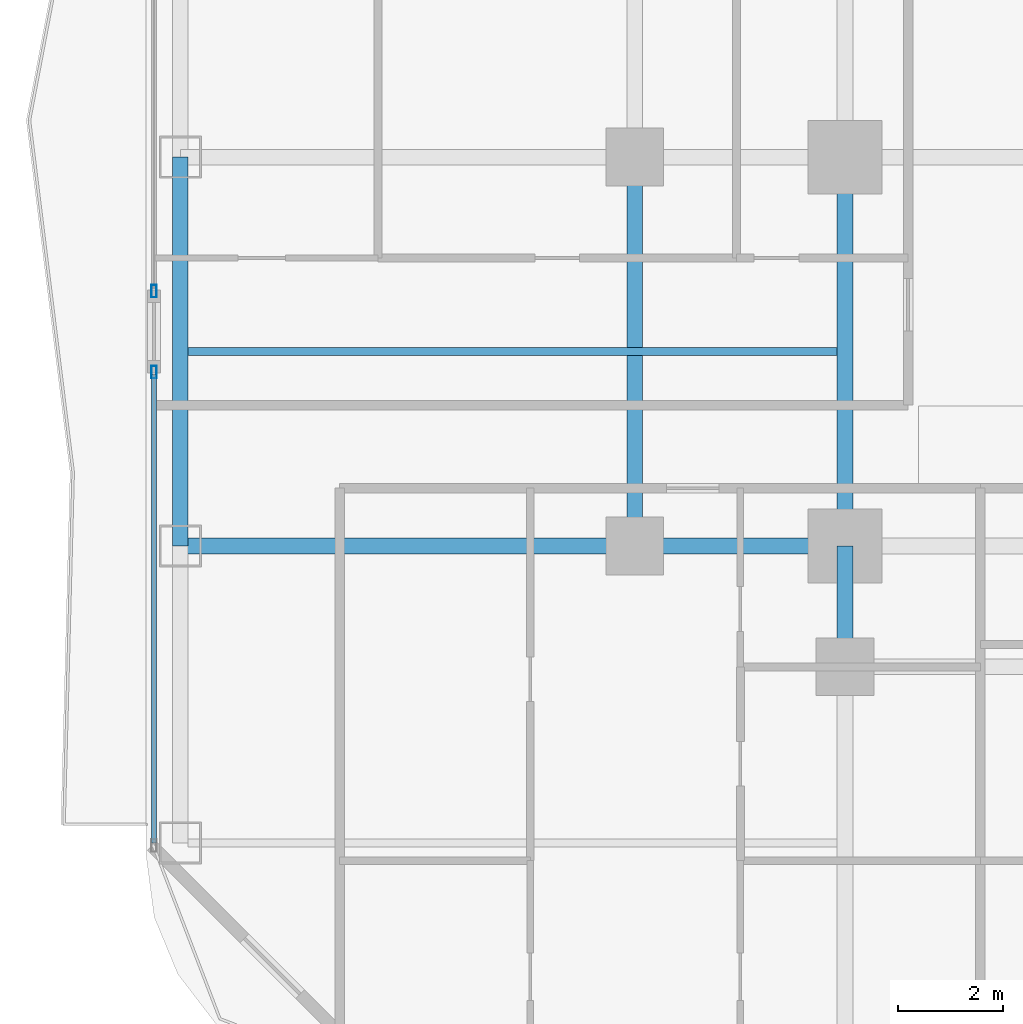
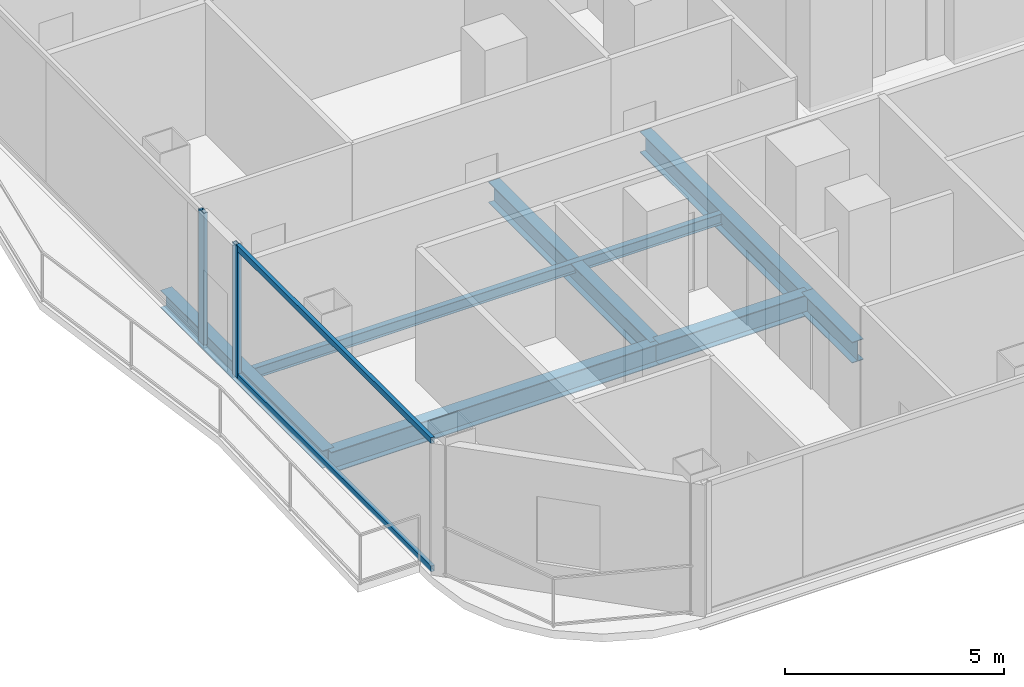
# One storey, part 3 of 29: 7 beams, 4 members, 2 elements without a shape of their own.
"""IFC4 building model written with IfcOpenShell, lengths in metres."""

import ifcopenshell
import ifcopenshell.guid

model = None  # the IFC model being written
_history = None  # IfcOwnerHistory: only IFC2X3 demands one
_inside = {}  # id of a spatial element -> (the spatial element, [elements in it])
_under = {}  # id of a project, library or spatial element -> (it, [spatial elements below it])
_declared = {}  # id of a project -> (the project, [libraries it declares])
_typed = {}  # id of a type object -> (the type object, [elements of that type])
_made_of = {}  # id of a material, layer set ... -> (it, [elements and type objects made of it])


def new_model(schema):
    """Start an empty IFC model of exactly this schema.

    Asked for "IFC4X3", IfcOpenShell would pick the latest addendum, in which some entities
    have other attributes; the version numbers below select the first issue.
    IFC2X3 requires an IfcOwnerHistory on every rooted entity: one is made here for all.
    """
    global model, _history
    if schema == "IFC4X3":
        model = ifcopenshell.file(schema_version=(4, 3, 0, 0))
    else:
        model = ifcopenshell.file(schema=schema)
    _inside.clear()
    _under.clear()
    _declared.clear()
    _typed.clear()
    _made_of.clear()
    _history = None
    if model.schema == "IFC2X3":
        org = make("IfcOrganization", Name="unknown")
        user = make(
            "IfcPersonAndOrganization",
            ThePerson=make("IfcPerson", FamilyName="unknown"),
            TheOrganization=org,
        )
        app = make(
            "IfcApplication",
            ApplicationDeveloper=org,
            Version="unknown",
            ApplicationFullName="unknown",
            ApplicationIdentifier="unknown",
        )
        _history = make(
            "IfcOwnerHistory",
            OwningUser=user,
            OwningApplication=app,
            ChangeAction="ADDED",
            CreationDate=0,
        )
    return model


def make(cls, **values):
    """One entity of the class cls with the attributes given. An attribute that is None is left unset."""
    return model.create_entity(
        cls, **{name: value for name, value in values.items() if value is not None}
    )


def rooted(cls, **values):
    """An entity with a GlobalId (a new one), such as an element, a storey or a relation."""
    return make(cls, GlobalId=ifcopenshell.guid.new(), OwnerHistory=_history, **values)


def si_unit(unit_type, name, prefix=None):
    """IfcSIUnit, for example si_unit("LENGTHUNIT", "METRE", prefix="MILLI")."""
    return make("IfcSIUnit", UnitType=unit_type, Prefix=prefix, Name=name)


def assignment(units):
    """IfcUnitAssignment: the units of a project."""
    return None if units is None else make("IfcUnitAssignment", Units=units)


def point(xyz):
    """IfcCartesianPoint."""
    return None if xyz is None else make("IfcCartesianPoint", Coordinates=xyz)


def direction(xyz):
    """IfcDirection."""
    return None if xyz is None else make("IfcDirection", DirectionRatios=xyz)


def frame(location, z_axis=None, x_axis=None):
    """IfcAxis2Placement3D, a coordinate frame: its origin and axes. An axis left out is left unset."""
    return make(
        "IfcAxis2Placement3D",
        Location=point(location),
        Axis=direction(z_axis),
        RefDirection=direction(x_axis),
    )


def frame_2d(location, x_axis=None):
    """IfcAxis2Placement2D, a coordinate frame in the plane: its origin and x axis."""
    return make(
        "IfcAxis2Placement2D", Location=point(location), RefDirection=direction(x_axis)
    )


def origin():
    """The frame at (0, 0, 0) with its axes left unset."""
    return frame((0.0, 0.0, 0.0))


def origin_2d():
    """The frame at (0, 0) in the plane with its x axis left unset."""
    return frame_2d((0.0, 0.0))


def place(relative_to, where):
    """IfcLocalPlacement: puts the frame where relative to a parent placement (None: the world)."""
    return make(
        "IfcLocalPlacement", PlacementRelTo=relative_to, RelativePlacement=where
    )


def context(
    kind, dimensions, precision=None, world=None, true_north=None, identifier=None
):
    """IfcGeometricRepresentationContext, for example the 3D "Model" context."""
    return make(
        "IfcGeometricRepresentationContext",
        ContextIdentifier=identifier,
        ContextType=kind,
        CoordinateSpaceDimension=dimensions,
        Precision=precision,
        WorldCoordinateSystem=world,
        TrueNorth=true_north,
    )


def subcontext(parent, identifier, kind, view, scale=None):
    """IfcGeometricRepresentationSubContext, for example "Body" below "Model"."""
    return make(
        "IfcGeometricRepresentationSubContext",
        ContextIdentifier=identifier,
        ContextType=kind,
        ParentContext=parent,
        TargetScale=scale,
        TargetView=view,
    )


def project(units=None, contexts=None):
    """IfcProject with its units and contexts."""
    return rooted(
        "IfcProject",
        Name="project",
        RepresentationContexts=contexts,
        UnitsInContext=assignment(units),
    )


def spatial(cls, under=None, at=None, **own):
    """A site, building, storey or space (cls), placed at a placement, below another one or the project."""
    s = rooted(cls, ObjectPlacement=at, **own)
    if under is not None:
        _under.setdefault(under.id(), (under, []))[1].append(s)
    return s


def profile(cls, at=None, kind="AREA", **sizes):
    """A parametric profile (cls). Its sizes go by their IFC names, for example OverallWidth=200.0."""
    return make(cls, ProfileType=kind, Position=at, **sizes)


def hollow_rectangle(**sizes):
    """IfcRectangleHollowProfileDef."""
    return profile("IfcRectangleHollowProfileDef", **sizes)


def i_section(**sizes):
    """IfcIShapeProfileDef."""
    return profile("IfcIShapeProfileDef", **sizes)


def extrude(swept, where, along, depth):
    """IfcExtrudedAreaSolid: the profile swept, set in the frame where, extruded along a direction by depth."""
    return make(
        "IfcExtrudedAreaSolid",
        SweptArea=swept,
        Position=where,
        ExtrudedDirection=direction(along),
        Depth=depth,
    )


def shape(context_of_items, identifier, shape_type, items):
    """IfcShapeRepresentation: the items that make up one representation, for example the "Body"."""
    return make(
        "IfcShapeRepresentation",
        ContextOfItems=context_of_items,
        RepresentationIdentifier=identifier,
        RepresentationType=shape_type,
        Items=items,
    )


def material(Name=None, Category=None):
    """IfcMaterial."""
    return make("IfcMaterial", Name=Name, Category=Category)


def layer(
    of_material, thickness, ventilated=None, Name=None, Category=None, Priority=None
):
    """IfcMaterialLayer: one layer of a wall or slab, of a material (None: an air gap)."""
    return make(
        "IfcMaterialLayer",
        Material=of_material,
        LayerThickness=thickness,
        IsVentilated=ventilated,
        Name=Name,
        Category=Category,
        Priority=Priority,
    )


def layer_set(layers, Name=None):
    """IfcMaterialLayerSet."""
    return make("IfcMaterialLayerSet", MaterialLayers=layers, LayerSetName=Name)


def material_profile(
    of_material, cross_section, Name=None, Category=None, Priority=None
):
    """IfcMaterialProfile: a cross section and its material."""
    return make(
        "IfcMaterialProfile",
        Name=Name,
        Material=of_material,
        Profile=cross_section,
        Priority=Priority,
        Category=Category,
    )


def profile_set(profiles, Name=None, composite=None):
    """IfcMaterialProfileSet."""
    return make(
        "IfcMaterialProfileSet",
        Name=Name,
        MaterialProfiles=profiles,
        CompositeProfile=composite,
    )


def made_of(thing, what):
    """Note that an element or type object is made of a material, layer set ...; save() writes the relation."""
    if what is not None:
        _made_of.setdefault(what.id(), (what, []))[1].append(thing)
    return thing


def type_object(cls, material=None, **own):
    """A type object (cls), such as IfcWallType, which elements share."""
    return made_of(rooted(cls, **own), material)


def element(
    cls,
    number,
    at=None,
    inside=None,
    cuts=None,
    type_object=None,
    material=None,
    context=None,
    identifier="Body",
    shape_type=None,
    held_by="IfcProductDefinitionShape",
    body=None,
    shapes=None,
    **own,
):
    """One element of the class cls, such as IfcWall. Its Tag is "e" and its number.

    at: its placement. inside: the storey or other place that contains it. cuts: it is an
    opening in that element (IfcRelVoidsElement). A single representation is given by context,
    identifier, shape_type and body (its items); several are given by shapes. held_by: the class
    of the entity that holds the representations. save() writes the other relations.
    """
    e = rooted(cls, Tag="e%d" % number, ObjectPlacement=at, **own)
    if body is not None:
        shapes = [shape(context, identifier, shape_type, body)]
    if shapes is not None:
        e.Representation = make(held_by, Representations=shapes)
    if inside is not None:
        _inside.setdefault(inside.id(), (inside, []))[1].append(e)
    if cuts is not None:
        rooted(
            "IfcRelVoidsElement", RelatingBuildingElement=cuts, RelatedOpeningElement=e
        )
    if type_object is not None:
        _typed.setdefault(type_object.id(), (type_object, []))[1].append(e)
    return made_of(e, material)


def aggregate(whole, parts):
    """IfcRelAggregates: a whole, such as a stair, and the parts it consists of."""
    return rooted("IfcRelAggregates", RelatingObject=whole, RelatedObjects=parts)


def save(model, path):
    """Write the relations noted so far, then the file.

    IfcRelAggregates (storeys below a building ...), IfcRelContainedInSpatialStructure (elements
    in a storey), IfcRelDefinesByType, IfcRelAssociatesMaterial and IfcRelDeclares: one each for
    every whole, place, type object, material and project.
    """
    for whole, parts in _under.values():
        aggregate(whole, parts)
    for where, things in _inside.values():
        rooted(
            "IfcRelContainedInSpatialStructure",
            RelatedElements=things,
            RelatingStructure=where,
        )
    for kind, things in _typed.values():
        rooted("IfcRelDefinesByType", RelatedObjects=things, RelatingType=kind)
    for what, things in _made_of.values():
        rooted("IfcRelAssociatesMaterial", RelatedObjects=things, RelatingMaterial=what)
    for by, libraries in _declared.values():
        rooted("IfcRelDeclares", RelatingContext=by, RelatedDefinitions=libraries)
    model.write(path)


model = new_model("IFC4")

# Units and contexts
model_context = context("Model", 3, precision=1e-05, world=origin(), true_north=direction((0.0, 1.0)))
body_context = subcontext(model_context, "Body", "Model", "MODEL_VIEW")
ifc_project = project(units=[si_unit("LENGTHUNIT", "METRE"), si_unit("AREAUNIT", "SQUARE_METRE"), si_unit("VOLUMEUNIT", "CUBIC_METRE"), si_unit("PLANEANGLEUNIT", "RADIAN"), si_unit("MASSUNIT", "GRAM", prefix="KILO")], contexts=[model_context])

# Site, building, storey
site_placement = place(None, origin())
site = spatial("IfcSite", under=ifc_project, at=site_placement, CompositionType="ELEMENT")
building_placement = place(site_placement, origin())
building = spatial("IfcBuilding", under=site, at=building_placement, Name="Khorvyn Point Tower", CompositionType="ELEMENT")
storey_placement = place(building_placement, frame((0.0, 0.0, 61.800048828125)))
storey = spatial("IfcBuildingStorey", under=building, at=storey_placement, Name="L16", CompositionType="ELEMENT", Elevation=61.800048828125)

# Curtain wall, member
ifc_material_1 = material(Name="Anodised aluminium 6063-T6 and laminated Low-E glass", Category="aluminium")
ifc_layer = layer(ifc_material_1, 0.18994140625)
ifc_layer_set = layer_set([ifc_layer], Name="Stick-Built Finned Residential Curtain Wall CW-SYS-02")
curtain_wall_type = type_object("IfcCurtainWallType", Name="Stick-Built Finned Residential Curtain Wall CW-SYS-02", PredefinedType="NOTDEFINED", material=ifc_layer_set)
curtain_wall_1_placement = place(storey_placement, origin())
curtain_wall_1 = element("IfcCurtainWall", 1, at=curtain_wall_1_placement, inside=storey, type_object=curtain_wall_type, Name="Curtain Wall", PredefinedType="NOTDEFINED")
ifc_material_2 = material(Name="Anodised aluminium 6063-T6", Category="aluminium")
ifc_material_profile_1 = material_profile(ifc_material_2, hollow_rectangle(XDim=0.10009765625, YDim=0.239990234375, WallThickness=0.0048828125, at=origin_2d()))
ifc_profile_set_1 = profile_set([ifc_material_profile_1], Name="Anodised aluminium 6063-T6 ALU-MUL-100x240")
member_type_1 = type_object("IfcMemberType", Name="Anodised Aluminium 6063-T6 Mullion ALU-MUL-100x240", PredefinedType="MULLION", material=ifc_profile_set_1)
member_1_placement = place(storey_placement, frame((-27.949951171875, -11.489990234375, 0.0), z_axis=(0.0, 0.0, 1.0), x_axis=(-1.0, 0.0, 0.0)))
member_1 = element("IfcMember", 2, at=member_1_placement, type_object=member_type_1, Name="Transom", PredefinedType="MULLION", context=body_context, shape_type="SweptSolid", body=[
    extrude(hollow_rectangle(XDim=0.10009765625, YDim=0.239990234375, WallThickness=0.0048828125, at=origin_2d()), origin(), (0.0, 0.0, 1.0), 3.679931640625),
])

curtain_wall_2_placement = place(storey_placement, origin())
curtain_wall_2 = element("IfcCurtainWall", 3, at=curtain_wall_2_placement, inside=storey, type_object=curtain_wall_type, Name="Curtain Wall", PredefinedType="NOTDEFINED")
member_2_placement = place(storey_placement, frame((-27.949951171875, -9.949951171875, 0.0), z_axis=(0.0, 0.0, 1.0), x_axis=(-1.0, 0.0, 0.0)))
member_2 = element("IfcMember", 4, at=member_2_placement, type_object=member_type_1, Name="Transom", PredefinedType="MULLION", context=body_context, shape_type="SweptSolid", body=[
    extrude(hollow_rectangle(XDim=0.10009765625, YDim=0.239990234375, WallThickness=0.0048828125, at=origin_2d()), origin(), (0.0, 0.0, 1.0), 3.679931640625),
])
aggregate(curtain_wall_2, [member_2])

# Member
ifc_material_profile_2 = material_profile(ifc_material_2, hollow_rectangle(XDim=0.10009765625, YDim=0.159912109375, WallThickness=0.00439453125, at=origin_2d()))
ifc_profile_set_2 = profile_set([ifc_material_profile_2], Name="Anodised aluminium 6063-T6 ALU-TRN-100x160")
member_type_2 = type_object("IfcMemberType", Name="Anodised Aluminium 6063-T6 Transom ALU-TRN-100x160", PredefinedType="USERDEFINED", material=ifc_profile_set_2)
member_3_placement = place(storey_placement, frame((-27.949951171875, -20.449951171875, 0.050048828125), z_axis=(0.0, 1.0, 0.0), x_axis=(-1.0, 0.0, 0.0)))
member_3 = element("IfcMember", 5, at=member_3_placement, type_object=member_type_2, Name="Transom", ObjectType="TRANSOM", PredefinedType="USERDEFINED", context=body_context, shape_type="SweptSolid", body=[
    extrude(hollow_rectangle(XDim=0.10009765625, YDim=0.159912109375, WallThickness=0.00439453125, at=origin_2d()), origin(), (0.0, 0.0, 1.0), 8.909912109375),
])

member_4_placement = place(storey_placement, frame((-27.949951171875, -20.449951171875, 3.6298828125), z_axis=(0.0, 1.0, 0.0), x_axis=(-1.0, 0.0, 0.0)))
member_4 = element("IfcMember", 6, at=member_4_placement, type_object=member_type_2, Name="Transom", ObjectType="TRANSOM", PredefinedType="USERDEFINED", context=body_context, shape_type="SweptSolid", body=[
    extrude(hollow_rectangle(XDim=0.10009765625, YDim=0.159912109375, WallThickness=0.00439453125, at=origin_2d()), origin(), (0.0, 0.0, 1.0), 8.909912109375),
])

aggregate(curtain_wall_1, [member_1, member_3, member_4])

# Beams
ifc_material_3 = material(Name="Steel S355", Category="steel")
ifc_material_profile_3 = material_profile(ifc_material_3, i_section(OverallWidth=0.300048828125, OverallDepth=0.587890625, WebThickness=0.011962890625, FlangeThickness=0.02001953125, at=origin_2d()))
ifc_profile_set_3 = profile_set([ifc_material_profile_3], Name="Steel S355 H588x300x12x20")
beam_type_1 = type_object("IfcBeamType", Name="Steel S355 Beam H588x300x12x20", PredefinedType="BEAM", material=ifc_profile_set_3)
beam_1_placement = place(storey_placement, frame((-27.449951171875, -14.800048828125, -0.51416015625), z_axis=(1.0, 0.0, 0.0), x_axis=(0.0, 1.0, 0.0)))
element("IfcBeam", 7, at=beam_1_placement, inside=storey, type_object=beam_type_1, Name="Beam", PredefinedType="BEAM", context=body_context, shape_type="SweptSolid", body=[
    extrude(i_section(OverallWidth=0.300048828125, OverallDepth=0.587890625, WebThickness=0.011962890625, FlangeThickness=0.02001953125, at=origin_2d()), origin(), (0.0, 0.0, 1.0), 8.64990234375),
])
beam_2_placement = place(storey_placement, frame((-18.800048828125, -14.800048828125, -0.51416015625), z_axis=(1.0, 0.0, 0.0), x_axis=(0.0, 1.0, 0.0)))
element("IfcBeam", 8, at=beam_2_placement, inside=storey, type_object=beam_type_1, Name="Beam", PredefinedType="BEAM", context=body_context, shape_type="SweptSolid", body=[
    extrude(i_section(OverallWidth=0.300048828125, OverallDepth=0.587890625, WebThickness=0.011962890625, FlangeThickness=0.02001953125, at=origin_2d()), origin(), (0.0, 0.0, 1.0), 4.0),
])
beam_3_placement = place(storey_placement, frame((-14.800048828125, -17.10009765625, -0.51416015625), z_axis=(0.0, 1.0, 0.0), x_axis=(-1.0, 0.0, 0.0)))
element("IfcBeam", 9, at=beam_3_placement, inside=storey, type_object=beam_type_1, Name="Beam", PredefinedType="BEAM", context=body_context, shape_type="SweptSolid", body=[
    extrude(i_section(OverallWidth=0.300048828125, OverallDepth=0.587890625, WebThickness=0.011962890625, FlangeThickness=0.02001953125, at=origin_2d()), origin(), (0.0, 0.0, 1.0), 2.300048828125),
])
for number, where, z_axis, x_axis, name in (
    (10, (-14.800048828125, -14.800048828125, -0.51416015625), (0.0, 1.0, 0.0), (-1.0, 0.0, 0.0), "Beam"),
    (11, (-18.800048828125, -14.800048828125, -0.51416015625), (0.0, 1.0, 0.0), (-1.0, 0.0, 0.0), "Beam"),
):
    element("IfcBeam", number, at=place(storey_placement, frame(where, z_axis=z_axis, x_axis=x_axis)), inside=storey, type_object=beam_type_1, Name=name, PredefinedType="BEAM", context=body_context, shape_type="SweptSolid", body=[
        extrude(i_section(OverallWidth=0.300048828125, OverallDepth=0.587890625, WebThickness=0.011962890625, FlangeThickness=0.02001953125, at=origin_2d()), origin(), (0.0, 0.0, 1.0), 7.400146484375),
    ])
ifc_material_profile_4 = material_profile(ifc_material_3, i_section(OverallWidth=0.14990234375, OverallDepth=0.300048828125, WebThickness=0.006591796875, FlangeThickness=0.009033203125, at=origin_2d()))
ifc_profile_set_4 = profile_set([ifc_material_profile_4], Name="Steel S355 H300x150x6.5x9")
beam_type_2 = type_object("IfcBeamType", Name="Steel S355 Joist H300x150x6.5x9", PredefinedType="JOIST", material=ifc_profile_set_4)
beam_4_placement = place(storey_placement, frame((-27.300048828125, -11.10009765625, -0.3701171875), z_axis=(1.0, 0.0, 0.0), x_axis=(0.0, 1.0, 0.0)))
element("IfcBeam", 12, at=beam_4_placement, inside=storey, type_object=beam_type_2, Name="Beam", PredefinedType="JOIST", context=body_context, shape_type="SweptSolid", body=[
    extrude(i_section(OverallWidth=0.14990234375, OverallDepth=0.300048828125, WebThickness=0.006591796875, FlangeThickness=0.009033203125, at=origin_2d()), origin(), (0.0, 0.0, 1.0), 12.35009765625),
])
ifc_material_profile_5 = material_profile(ifc_material_3, i_section(OverallWidth=0.300048828125, OverallDepth=0.488037109375, WebThickness=0.010986328125, FlangeThickness=0.01806640625, at=origin_2d()))
ifc_profile_set_5 = profile_set([ifc_material_profile_5], Name="Steel S355 H488x300x11x18")
beam_type_3 = type_object("IfcBeamType", Name="Steel S355 Spandrel H488x300x11x18", PredefinedType="SPANDREL", material=ifc_profile_set_5)
beam_5_placement = place(storey_placement, frame((-27.449951171875, -14.800048828125, -0.464111328125), z_axis=(0.0, 1.0, 0.0), x_axis=(-1.0, 0.0, 0.0)))
element("IfcBeam", 13, at=beam_5_placement, inside=storey, type_object=beam_type_3, Name="Beam", PredefinedType="SPANDREL", context=body_context, shape_type="SweptSolid", body=[
    extrude(i_section(OverallWidth=0.300048828125, OverallDepth=0.488037109375, WebThickness=0.010986328125, FlangeThickness=0.01806640625, at=origin_2d()), origin(), (0.0, 0.0, 1.0), 7.400146484375),
])

save(model, "model.ifc")
